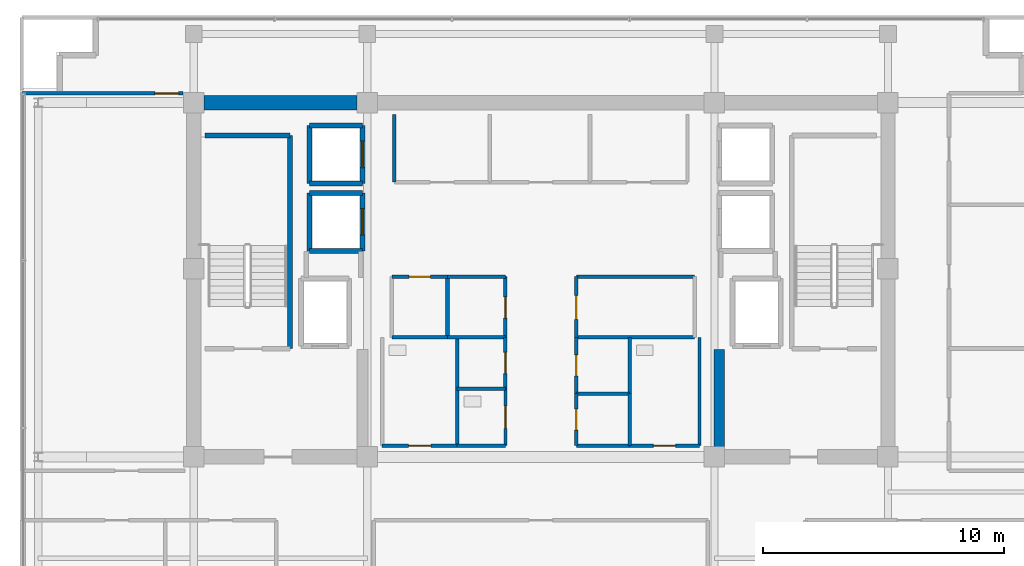
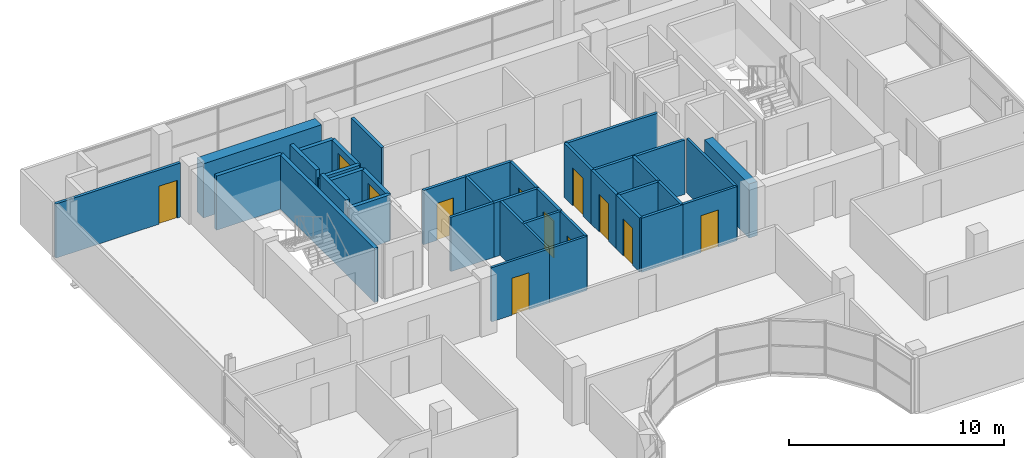
# One storey, part 24 of 29: 37 walls, 12 doors, 12 openings.
"""IFC4 building model written with IfcOpenShell, lengths in metres."""

from ifc_helpers import new_model, si_unit, direction, frame, frame_2d, origin, place, context, subcontext, project, spatial, rectangle, extrude, source, transform, mapped, material, layer, layer_set, type_object, element, fill, save


model = new_model("IFC4")

# Units and contexts
model_context = context("Model", 3, precision=1e-05, world=origin(), true_north=direction((0.0, 1.0)))
body_context = subcontext(model_context, "Body", "Model", "MODEL_VIEW")
ifc_project = project(units=[si_unit("LENGTHUNIT", "METRE"), si_unit("AREAUNIT", "SQUARE_METRE"), si_unit("VOLUMEUNIT", "CUBIC_METRE"), si_unit("PLANEANGLEUNIT", "RADIAN"), si_unit("MASSUNIT", "GRAM", prefix="KILO")], contexts=[model_context])

# Site, building, storey
site_placement = place(None, origin())
site = spatial("IfcSite", under=ifc_project, at=site_placement, CompositionType="ELEMENT")
building_placement = place(site_placement, origin())
building = spatial("IfcBuilding", under=site, at=building_placement, Name="Zarnakvel Exchange Tower", CompositionType="ELEMENT")
storey_placement = place(building_placement, frame((0.0, 0.0, 258.39990234375)))
storey = spatial("IfcBuildingStorey", under=building, at=storey_placement, Name="L73", CompositionType="ELEMENT", Elevation=258.39990234375)

# Walls
ifc_material_1 = material(Name="Concrete C50/60", Category="concrete")
ifc_layer_1 = layer(ifc_material_1, 0.60009765625)
ifc_layer_set_1 = layer_set([ifc_layer_1], Name="Concrete C50/60")
wall_type_1 = type_object("IfcWallType", Name="CW-C5", PredefinedType="SHEAR", material=ifc_layer_set_1)
wall_1_placement = place(storey_placement, frame((-13.97509765625, 13.5, 0.0), z_axis=(0.0, 0.0, 1.0), x_axis=(1.0, 0.0, 0.0)))
element("IfcWall", 1, at=wall_1_placement, inside=storey, type_object=wall_type_1, Name="L73 Rear Core Shear Wall N1 (CW-C5)", PredefinedType="SHEAR", context=body_context, shape_type="SweptSolid", body=[
    extrude(rectangle(XDim=6.35009765625, YDim=0.60009765625, at=frame_2d((3.175048828125, 0.0))), origin(), (0.0, 0.0, 1.0), 3.0751953125),
])
ifc_layer_2 = layer(ifc_material_1, 0.449951171875)
ifc_layer_set_2 = layer_set([ifc_layer_2], Name="Concrete C50/60")
wall_type_2 = type_object("IfcWallType", Name="CW-C6", PredefinedType="SHEAR", material=ifc_layer_set_2)
wall_2_placement = place(storey_placement, frame((7.39990234375, -0.89990234375, 0.0), z_axis=(0.0, 0.0, 1.0), x_axis=(0.0, 1.0, 0.0)))
element("IfcWall", 2, at=wall_2_placement, inside=storey, type_object=wall_type_2, Name="L73 Rear Core Shear Wall IE (CW-C6)", PredefinedType="SHEAR", context=body_context, shape_type="SweptSolid", body=[
    extrude(rectangle(XDim=4.14990234375, YDim=0.449951171875, at=frame_2d((2.074951171875, 0.0))), origin(), (0.0, 0.0, 1.0), 3.0751953125),
])
ifc_material_2 = material(Name="Fire-Rated Gypsum Stud Partition", Category="gypsum")
ifc_layer_3 = layer(ifc_material_2, 0.14990234375)
ifc_layer_set_3 = layer_set([ifc_layer_3], Name="Fire-Rated Gypsum Stud Partition")
wall_type_3 = type_object("IfcWallType", Name="PT-01", PredefinedType="PARTITIONING", material=ifc_layer_set_3)
wall_3_placement = place(storey_placement, frame((-6.080078125, 10.199951171875, 0.0), z_axis=(0.0, 0.0, 1.0), x_axis=(0.0, 1.0, 0.0)))
element("IfcWall", 3, at=wall_3_placement, inside=storey, type_object=wall_type_3, Name="L73 Partition Wall PWALL-L73-012 (PT-01)", PredefinedType="PARTITIONING", context=body_context, shape_type="SweptSolid", body=[
    extrude(rectangle(XDim=2.800048828125, YDim=0.14990234375, at=frame_2d((1.39990234375, 0.0))), origin(), (0.0, 0.0, 1.0), 3.0751953125),
])
wall_4_placement = place(storey_placement, frame((-3.8701171875, 3.760009765625, 0.0), z_axis=(0.0, 0.0, 1.0), x_axis=(-1.0, 0.0, 0.0)))
element("IfcWall", 4, at=wall_4_placement, inside=storey, type_object=wall_type_3, Name="L73 Partition Wall PWALL-L73-018 (PT-01)", PredefinedType="PARTITIONING", context=body_context, shape_type="SweptSolid", body=[
    extrude(rectangle(XDim=2.309814453125, YDim=0.14990234375, at=frame_2d((1.15478515625, 0.0))), origin(), (0.0, 0.0, 1.0), 3.0751953125),
])

# Wall, opening, door
wall_5_placement = place(storey_placement, frame((-6.179931640625, 6.280029296875, 0.0), z_axis=(0.0, 0.0, 1.0), x_axis=(1.0, 0.0, 0.0)))
wall_5 = element("IfcWall", 5, at=wall_5_placement, inside=storey, type_object=wall_type_3, Name="L73 Partition Wall PWALL-L73-019 (PT-01)", PredefinedType="PARTITIONING", context=body_context, shape_type="SweptSolid", body=[
    extrude(rectangle(XDim=2.309814453125, YDim=0.14990234375, at=frame_2d((1.15478515625, 0.0))), origin(), (0.0, 0.0, 1.0), 3.0751953125),
])
opening_1_placement = place(wall_5_placement, frame((0.719970703125, 0.0, 0.0)))
opening_1 = element("IfcOpeningElement", 6, at=opening_1_placement, cuts=wall_5, Name="Opening D-L73-08", PredefinedType="OPENING", context=body_context, shape_type="SweptSolid", body=[
    extrude(rectangle(XDim=0.8798828125, YDim=2.10009765625, at=frame_2d((0.43994140625, 1.050048828125))), frame((0.0, 0.0849609375, 0.0), z_axis=(0.0, -1.0, 0.0), x_axis=(1.0, 0.0, 0.0)), (0.0, 0.0, 1.0), 0.169921875),
])
ifc_material_3 = material(Name="Painted Galvanised Steel S355", Category="steel")
door_type_1 = type_object("IfcDoorType", Name="DT-08", OperationType="NOTDEFINED", PredefinedType="DOOR", material=ifc_material_3)
shared_shape_1 = source(origin(), body_context, "Body", "SweptSolid", [
    extrude(rectangle(XDim=0.8798828125, YDim=2.10009765625, at=frame_2d((0.43994140625, 1.050048828125))), frame((0.0, 0.02490234375, 0.0), z_axis=(0.0, -1.0, 0.0), x_axis=(1.0, 0.0, 0.0)), (0.0, 0.0, 1.0), 0.050048828125),
])
door_1_placement = place(opening_1_placement, origin())
door_1 = element("IfcDoor", 7, at=door_1_placement, inside=storey, type_object=door_type_1, Name="L73 Audit Filing Store Door D-L73-08", OperationType="SINGLE_SWING_RIGHT", OverallHeight=2.10009765625, OverallWidth=0.8798828125, PredefinedType="DOOR", context=body_context, shape_type="MappedRepresentation", body=[
    mapped(shared_shape_1, transform((0.0, 0.0, 0.0), x_axis=(1.0, 0.0, 0.0), y_axis=(0.0, 1.0, 0.0), z_axis=(0.0, 0.0, 1.0), scale=1.0)),
])
fill(opening_1, door_1)

# Walls
wall_6_placement = place(storey_placement, frame((-3.8701171875, 6.280029296875, 0.0), z_axis=(0.0, 0.0, 1.0), x_axis=(0.0, -1.0, 0.0)))
element("IfcWall", 8, at=wall_6_placement, inside=storey, type_object=wall_type_3, Name="L73 Partition Wall PWALL-L73-021 (PT-01)", PredefinedType="PARTITIONING", context=body_context, shape_type="SweptSolid", body=[
    extrude(rectangle(XDim=2.52001953125, YDim=0.14990234375, at=frame_2d((1.260009765625, 0.0))), origin(), (0.0, 0.0, 1.0), 3.0751953125),
])
for number, where, z_axis, x_axis, name in (
    (9, (-1.469970703125, 3.760009765625, 0.0), (0.0, 0.0, 1.0), (-1.0, 0.0, 0.0), "L73 Partition Wall PWALL-L73-022 (PT-01)"),
    (10, (-3.8701171875, 6.280029296875, 0.0), (0.0, 0.0, 1.0), (1.0, 0.0, 0.0), "L73 Partition Wall PWALL-L73-023 (PT-01)"),
):
    element("IfcWall", number, at=place(storey_placement, frame(where, z_axis=z_axis, x_axis=x_axis)), inside=storey, type_object=wall_type_3, Name=name, PredefinedType="PARTITIONING", context=body_context, shape_type="SweptSolid", body=[
        extrude(rectangle(XDim=2.400146484375, YDim=0.14990234375, at=frame_2d((1.2001953125, 0.0))), origin(), (0.0, 0.0, 1.0), 3.0751953125),
    ])

# Wall, opening, door
wall_7_placement = place(storey_placement, frame((-1.469970703125, 6.280029296875, 0.0), z_axis=(0.0, 0.0, 1.0), x_axis=(0.0, -1.0, 0.0)))
wall_7 = element("IfcWall", 11, at=wall_7_placement, inside=storey, type_object=wall_type_3, Name="L73 Partition Wall PWALL-L73-024 (PT-01)", PredefinedType="PARTITIONING", context=body_context, shape_type="SweptSolid", body=[
    extrude(rectangle(XDim=2.52001953125, YDim=0.14990234375, at=frame_2d((1.260009765625, 0.0))), origin(), (0.0, 0.0, 1.0), 3.0751953125),
])
opening_2_placement = place(wall_7_placement, frame((0.840087890625, 0.0, 0.0)))
opening_2 = element("IfcOpeningElement", 12, at=opening_2_placement, cuts=wall_7, Name="Opening D-L73-09", PredefinedType="OPENING", context=body_context, shape_type="SweptSolid", body=[
    extrude(rectangle(XDim=0.8798828125, YDim=2.10009765625, at=frame_2d((0.43994140625, 1.050048828125))), frame((0.0, 0.0849609375, 0.0), z_axis=(0.0, -1.0, 0.0), x_axis=(1.0, 0.0, 0.0)), (0.0, 0.0, 1.0), 0.169921875),
])
door_2_placement = place(opening_2_placement, origin())
door_2 = element("IfcDoor", 13, at=door_2_placement, inside=storey, type_object=door_type_1, Name="L73 Core Records Store Door D-L73-09", OperationType="SINGLE_SWING_LEFT", OverallHeight=2.10009765625, OverallWidth=0.8798828125, PredefinedType="DOOR", context=body_context, shape_type="MappedRepresentation", body=[
    mapped(shared_shape_1, transform((0.0, 0.0, 0.0), x_axis=(1.0, 0.0, 0.0), y_axis=(0.0, 1.0, 0.0), z_axis=(0.0, 0.0, 1.0), scale=1.0)),
])
fill(opening_2, door_2)

# Walls
for number, where, z_axis, x_axis, name in (
    (14, (6.3798828125, 3.760009765625, 0.0), (0.0, 0.0, 1.0), (-1.0, 0.0, 0.0), "L73 Partition Wall PWALL-L73-025 (PT-01)"),
    (15, (1.469970703125, 6.280029296875, 0.0), (0.0, 0.0, 1.0), (1.0, 0.0, 0.0), "L73 Partition Wall PWALL-L73-026 (PT-01)"),
):
    element("IfcWall", number, at=place(storey_placement, frame(where, z_axis=z_axis, x_axis=x_axis)), inside=storey, type_object=wall_type_3, Name=name, PredefinedType="PARTITIONING", context=body_context, shape_type="SweptSolid", body=[
        extrude(rectangle(XDim=4.909912109375, YDim=0.14990234375, at=frame_2d((2.455078125, 0.0))), origin(), (0.0, 0.0, 1.0), 3.0751953125),
    ])

# Wall, opening, door
wall_8_placement = place(storey_placement, frame((1.469970703125, 3.760009765625, 0.0), z_axis=(0.0, 0.0, 1.0), x_axis=(0.0, 1.0, 0.0)))
wall_8 = element("IfcWall", 16, at=wall_8_placement, inside=storey, type_object=wall_type_3, Name="L73 Partition Wall PWALL-L73-027 (PT-01)", PredefinedType="PARTITIONING", context=body_context, shape_type="SweptSolid", body=[
    extrude(rectangle(XDim=2.52001953125, YDim=0.14990234375, at=frame_2d((1.260009765625, 0.0))), origin(), (0.0, 0.0, 1.0), 3.0751953125),
])
opening_3_placement = place(wall_8_placement, frame((0.75, 0.0, 0.0)))
opening_3 = element("IfcOpeningElement", 17, at=opening_3_placement, cuts=wall_8, Name="Opening D-L73-10", PredefinedType="OPENING", context=body_context, shape_type="SweptSolid", body=[
    extrude(rectangle(XDim=0.97998046875, YDim=2.14990234375, at=frame_2d((0.489990234375, 1.074951171875))), frame((0.0, 0.0849609375, 0.0), z_axis=(0.0, -1.0, 0.0), x_axis=(1.0, 0.0, 0.0)), (0.0, 0.0, 1.0), 0.169921875),
])
ifc_material_4 = material(Name="Timber Acoustic Veneer", Category="wood")
door_type_2 = type_object("IfcDoorType", Name="DT-05", OperationType="NOTDEFINED", PredefinedType="DOOR", material=ifc_material_4)
shared_shape_2 = source(origin(), body_context, "Body", "SweptSolid", [
    extrude(rectangle(XDim=0.97998046875, YDim=2.14990234375, at=frame_2d((0.489990234375, 1.074951171875))), frame((0.0, 0.02490234375, 0.0), z_axis=(0.0, -1.0, 0.0), x_axis=(1.0, 0.0, 0.0)), (0.0, 0.0, 1.0), 0.050048828125),
])
door_3_placement = place(opening_3_placement, origin())
door_3 = element("IfcDoor", 18, at=door_3_placement, inside=storey, type_object=door_type_2, Name="L73 Telemetry Server Suite Door D-L73-10", OperationType="SINGLE_SWING_RIGHT", OverallHeight=2.14990234375, OverallWidth=0.97998046875, PredefinedType="DOOR", context=body_context, shape_type="MappedRepresentation", body=[
    mapped(shared_shape_2, transform((0.0, 0.0, 0.0), x_axis=(1.0, 0.0, 0.0), y_axis=(0.0, 1.0, 0.0), z_axis=(0.0, 0.0, 1.0), scale=1.0)),
])
fill(opening_3, door_3)

wall_9_placement = place(storey_placement, frame((-1.469970703125, 3.760009765625, 0.0), z_axis=(0.0, 0.0, 1.0), x_axis=(0.0, -1.0, 0.0)))
wall_9 = element("IfcWall", 19, at=wall_9_placement, inside=storey, type_object=wall_type_3, Name="L73 Partition Wall PWALL-L73-035 (PT-01)", PredefinedType="PARTITIONING", context=body_context, shape_type="SweptSolid", body=[
    extrude(rectangle(XDim=2.130126953125, YDim=0.14990234375, at=frame_2d((1.06494140625, 0.0))), origin(), (0.0, 0.0, 1.0), 3.0751953125),
])
opening_4_placement = place(wall_9_placement, frame((0.6201171875, 0.0, 0.0)))
opening_4 = element("IfcOpeningElement", 20, at=opening_4_placement, cuts=wall_9, Name="Opening D-L73-13", PredefinedType="OPENING", context=body_context, shape_type="SweptSolid", body=[
    extrude(rectangle(XDim=0.8798828125, YDim=2.10009765625, at=frame_2d((0.43994140625, 1.050048828125))), frame((0.0, 0.0849609375, 0.0), z_axis=(0.0, -1.0, 0.0), x_axis=(1.0, 0.0, 0.0)), (0.0, 0.0, 1.0), 0.169921875),
])
door_4_placement = place(opening_4_placement, origin())
door_4 = element("IfcDoor", 21, at=door_4_placement, inside=storey, type_object=door_type_1, Name="L73 Core Comms Room Door D-L73-13", OperationType="SINGLE_SWING_LEFT", OverallHeight=2.10009765625, OverallWidth=0.8798828125, PredefinedType="DOOR", context=body_context, shape_type="MappedRepresentation", body=[
    mapped(shared_shape_1, transform((0.0, 0.0, 0.0), x_axis=(1.0, 0.0, 0.0), y_axis=(0.0, 1.0, 0.0), z_axis=(0.0, 0.0, 1.0), scale=1.0)),
])
fill(opening_4, door_4)

# Walls
for number, where, z_axis, x_axis, name in (
    (22, (3.679931640625, -0.72998046875, 0.0), (0.0, 0.0, 1.0), (-1.0, 0.0, 0.0), "L73 Partition Wall PWALL-L73-036 (PT-01)"),
    (23, (1.469970703125, 1.429931640625, 0.0), (0.0, 0.0, 1.0), (1.0, 0.0, 0.0), "L73 Partition Wall PWALL-L73-037 (PT-01)"),
):
    element("IfcWall", number, at=place(storey_placement, frame(where, z_axis=z_axis, x_axis=x_axis)), inside=storey, type_object=wall_type_3, Name=name, PredefinedType="PARTITIONING", context=body_context, shape_type="SweptSolid", body=[
        extrude(rectangle(XDim=2.2099609375, YDim=0.14990234375, at=frame_2d((1.10498046875, 0.0))), origin(), (0.0, 0.0, 1.0), 3.0751953125),
    ])

# Wall, opening, door
wall_10_placement = place(storey_placement, frame((1.469970703125, -0.72998046875, 0.0), z_axis=(0.0, 0.0, 1.0), x_axis=(0.0, 1.0, 0.0)))
wall_10 = element("IfcWall", 24, at=wall_10_placement, inside=storey, type_object=wall_type_3, Name="L73 Partition Wall PWALL-L73-038 (PT-01)", PredefinedType="PARTITIONING", context=body_context, shape_type="SweptSolid", body=[
    extrude(rectangle(XDim=2.159912109375, YDim=0.14990234375, at=frame_2d((1.080078125, 0.0))), origin(), (0.0, 0.0, 1.0), 3.0751953125),
])
opening_5_placement = place(wall_10_placement, frame((0.639892578125, 0.0, 0.0)))
opening_5 = element("IfcOpeningElement", 25, at=opening_5_placement, cuts=wall_10, Name="Opening D-L73-14", PredefinedType="OPENING", context=body_context, shape_type="SweptSolid", body=[
    extrude(rectangle(XDim=0.8798828125, YDim=2.10009765625, at=frame_2d((0.43994140625, 1.050048828125))), frame((0.0, 0.0849609375, 0.0), z_axis=(0.0, -1.0, 0.0), x_axis=(1.0, 0.0, 0.0)), (0.0, 0.0, 1.0), 0.169921875),
])
door_5_placement = place(opening_5_placement, origin())
door_5 = element("IfcDoor", 26, at=door_5_placement, inside=storey, type_object=door_type_1, Name="L73 Janitor Store Door D-L73-14", OperationType="SINGLE_SWING_RIGHT", OverallHeight=2.10009765625, OverallWidth=0.8798828125, PredefinedType="DOOR", context=body_context, shape_type="MappedRepresentation", body=[
    mapped(shared_shape_1, transform((0.0, 0.0, 0.0), x_axis=(1.0, 0.0, 0.0), y_axis=(0.0, 1.0, 0.0), z_axis=(0.0, 0.0, 1.0), scale=1.0)),
])
fill(opening_5, door_5)

# Wall
wall_11_placement = place(storey_placement, frame((3.679931640625, 1.429931640625, 0.0), z_axis=(0.0, 0.0, 1.0), x_axis=(0.0, -1.0, 0.0)))
element("IfcWall", 27, at=wall_11_placement, inside=storey, type_object=wall_type_3, Name="L73 Partition Wall PWALL-L73-039 (PT-01)", PredefinedType="PARTITIONING", context=body_context, shape_type="SweptSolid", body=[
    extrude(rectangle(XDim=2.159912109375, YDim=0.14990234375, at=frame_2d((1.080078125, 0.0))), origin(), (0.0, 0.0, 1.0), 3.0751953125),
])

# Wall, opening, door
wall_12_placement = place(storey_placement, frame((1.469970703125, 1.429931640625, 0.0), z_axis=(0.0, 0.0, 1.0), x_axis=(0.0, 1.0, 0.0)))
wall_12 = element("IfcWall", 28, at=wall_12_placement, inside=storey, type_object=wall_type_3, Name="L73 Partition Wall PWALL-L73-040 (PT-01)", PredefinedType="PARTITIONING", context=body_context, shape_type="SweptSolid", body=[
    extrude(rectangle(XDim=2.330078125, YDim=0.14990234375, at=frame_2d((1.1650390625, 0.0))), origin(), (0.0, 0.0, 1.0), 3.0751953125),
])
opening_6_placement = place(wall_12_placement, frame((0.72998046875, 0.0, 0.0)))
opening_6 = element("IfcOpeningElement", 29, at=opening_6_placement, cuts=wall_12, Name="Opening D-L73-15", PredefinedType="OPENING", context=body_context, shape_type="SweptSolid", body=[
    extrude(rectangle(XDim=0.8798828125, YDim=2.14990234375, at=frame_2d((0.43994140625, 1.074951171875))), frame((0.0, 0.0849609375, 0.0), z_axis=(0.0, -1.0, 0.0), x_axis=(1.0, 0.0, 0.0)), (0.0, 0.0, 1.0), 0.169921875),
])
shared_shape_3 = source(origin(), body_context, "Body", "SweptSolid", [
    extrude(rectangle(XDim=0.8798828125, YDim=2.14990234375, at=frame_2d((0.43994140625, 1.074951171875))), frame((0.0, 0.02490234375, 0.0), z_axis=(0.0, -1.0, 0.0), x_axis=(1.0, 0.0, 0.0)), (0.0, 0.0, 1.0), 0.050048828125),
])
door_6_placement = place(opening_6_placement, origin())
door_6 = element("IfcDoor", 30, at=door_6_placement, inside=storey, type_object=door_type_2, Name="L73 Stationery Store Door D-L73-15", OperationType="SINGLE_SWING_LEFT", OverallHeight=2.14990234375, OverallWidth=0.8798828125, PredefinedType="DOOR", context=body_context, shape_type="MappedRepresentation", body=[
    mapped(shared_shape_3, transform((0.0, 0.0, 0.0), x_axis=(1.0, 0.0, 0.0), y_axis=(0.0, 1.0, 0.0), z_axis=(0.0, 0.0, 1.0), scale=1.0)),
])
fill(opening_6, door_6)

# Wall
wall_13_placement = place(storey_placement, frame((3.679931640625, 3.760009765625, 0.0), z_axis=(0.0, 0.0, 1.0), x_axis=(0.0, -1.0, 0.0)))
element("IfcWall", 31, at=wall_13_placement, inside=storey, type_object=wall_type_3, Name="L73 Partition Wall PWALL-L73-041 (PT-01)", PredefinedType="PARTITIONING", context=body_context, shape_type="SweptSolid", body=[
    extrude(rectangle(XDim=2.330078125, YDim=0.14990234375, at=frame_2d((1.1650390625, 0.0))), origin(), (0.0, 0.0, 1.0), 3.0751953125),
])

# Wall, opening, door
wall_14_placement = place(storey_placement, frame((-21.530029296875, 13.8798828125, 0.0), z_axis=(0.0, 0.0, 1.0), x_axis=(1.0, 0.0, 0.0)))
wall_14 = element("IfcWall", 32, at=wall_14_placement, inside=storey, type_object=wall_type_3, Name="L73 Partition Wall PWALL-L73-066 (PT-01)", PredefinedType="PARTITIONING", context=body_context, shape_type="SweptSolid", body=[
    extrude(rectangle(XDim=6.68505859375, YDim=0.14990234375, at=frame_2d((3.342529296875, 0.0))), origin(), (0.0, 0.0, 1.0), 3.0751953125),
])
opening_7_placement = place(wall_14_placement, frame((5.52490234375, 0.0, 0.0)))
opening_7 = element("IfcOpeningElement", 33, at=opening_7_placement, cuts=wall_14, Name="Opening D-L73-27", PredefinedType="OPENING", context=body_context, shape_type="SweptSolid", body=[
    extrude(rectangle(XDim=0.97998046875, YDim=2.14990234375, at=frame_2d((0.489990234375, 1.074951171875))), frame((0.0, 0.0849609375, 0.0), z_axis=(0.0, -1.0, 0.0), x_axis=(1.0, 0.0, 0.0)), (0.0, 0.0, 1.0), 0.169921875),
])
door_7_placement = place(opening_7_placement, origin())
door_7 = element("IfcDoor", 34, at=door_7_placement, inside=storey, type_object=door_type_2, Name="L73 Settlement Office Door D-L73-27", OperationType="SINGLE_SWING_LEFT", OverallHeight=2.14990234375, OverallWidth=0.97998046875, PredefinedType="DOOR", context=body_context, shape_type="MappedRepresentation", body=[
    mapped(shared_shape_2, transform((0.0, 0.0, 0.0), x_axis=(1.0, 0.0, 0.0), y_axis=(0.0, 1.0, 0.0), z_axis=(0.0, 0.0, 1.0), scale=1.0)),
])
fill(opening_7, door_7)

ifc_material_5 = material(Name="Moisture-Resistant Tile-Faced Partition", Category="gypsum")
ifc_layer_4 = layer(ifc_material_5, 0.135009765625)
ifc_layer_set_4 = layer_set([ifc_layer_4], Name="Moisture-Resistant Tile-Faced Partition")
wall_type_4 = type_object("IfcWallType", Name="PT-03", PredefinedType="PARTITIONING", material=ifc_layer_set_4)
wall_15_placement = place(storey_placement, frame((-3.469970703125, -0.72998046875, 0.0), z_axis=(0.0, 0.0, 1.0), x_axis=(-1.0, 0.0, 0.0)))
wall_15 = element("IfcWall", 35, at=wall_15_placement, inside=storey, type_object=wall_type_4, Name="L73 Partition Wall PWALL-L73-029 (PT-03)", PredefinedType="PARTITIONING", context=body_context, shape_type="SweptSolid", body=[
    extrude(rectangle(XDim=3.110107421875, YDim=0.135009765625, at=frame_2d((1.55517578125, 0.0))), origin(), (0.0, 0.0, 1.0), 3.0751953125),
])
opening_8_placement = place(wall_15_placement, frame((1.090087890625, 0.0, 0.0)))
opening_8 = element("IfcOpeningElement", 36, at=opening_8_placement, cuts=wall_15, Name="Opening D-L73-11", PredefinedType="OPENING", context=body_context, shape_type="SweptSolid", body=[
    extrude(rectangle(XDim=0.919921875, YDim=2.10009765625, at=frame_2d((0.4599609375, 1.050048828125))), frame((0.0, 0.077392578125, 0.0), z_axis=(0.0, -1.0, 0.0), x_axis=(1.0, 0.0, 0.0)), (0.0, 0.0, 1.0), 0.155029296875),
])
ifc_material_6 = material(Name="Moisture-Resistant Laminate Timber", Category="wood")
door_type_3 = type_object("IfcDoorType", Name="DT-07", OperationType="NOTDEFINED", PredefinedType="DOOR", material=ifc_material_6)
shared_shape_4 = source(origin(), body_context, "Body", "SweptSolid", [
    extrude(rectangle(XDim=0.919921875, YDim=2.10009765625, at=frame_2d((0.4599609375, 1.050048828125))), frame((0.0, 0.02490234375, 0.0), z_axis=(0.0, -1.0, 0.0), x_axis=(1.0, 0.0, 0.0)), (0.0, 0.0, 1.0), 0.050048828125),
])
door_8_placement = place(opening_8_placement, origin())
door_8 = element("IfcDoor", 37, at=door_8_placement, inside=storey, type_object=door_type_3, Name="L73 Male Toilet Door D-L73-11", OperationType="SINGLE_SWING_LEFT", OverallHeight=2.10009765625, OverallWidth=0.919921875, PredefinedType="DOOR", context=body_context, shape_type="MappedRepresentation", body=[
    mapped(shared_shape_4, transform((0.0, 0.0, 0.0), x_axis=(1.0, 0.0, 0.0), y_axis=(0.0, 1.0, 0.0), z_axis=(0.0, 0.0, 1.0), scale=1.0)),
])
fill(opening_8, door_8)

# Walls
wall_16_placement = place(storey_placement, frame((-3.469970703125, 3.760009765625, 0.0), z_axis=(0.0, 0.0, 1.0), x_axis=(0.0, -1.0, 0.0)))
element("IfcWall", 38, at=wall_16_placement, inside=storey, type_object=wall_type_4, Name="L73 Partition Wall PWALL-L73-031 (PT-03)", PredefinedType="PARTITIONING", context=body_context, shape_type="SweptSolid", body=[
    extrude(rectangle(XDim=4.489990234375, YDim=0.135009765625, at=frame_2d((2.2451171875, 0.0))), origin(), (0.0, 0.0, 1.0), 3.0751953125),
])
for number, where, z_axis, x_axis, name in (
    (39, (-1.469970703125, -0.72998046875, 0.0), (0.0, 0.0, 1.0), (-1.0, 0.0, 0.0), "L73 Partition Wall PWALL-L73-032 (PT-03)"),
    (40, (-3.469970703125, 1.6298828125, 0.0), (0.0, 0.0, 1.0), (1.0, 0.0, 0.0), "L73 Partition Wall PWALL-L73-033 (PT-03)"),
):
    element("IfcWall", number, at=place(storey_placement, frame(where, z_axis=z_axis, x_axis=x_axis)), inside=storey, type_object=wall_type_4, Name=name, PredefinedType="PARTITIONING", context=body_context, shape_type="SweptSolid", body=[
        extrude(rectangle(XDim=2.0, YDim=0.135009765625, at=frame_2d((1.0, 0.0))), origin(), (0.0, 0.0, 1.0), 3.0751953125),
    ])

# Wall, opening, door
wall_17_placement = place(storey_placement, frame((-1.469970703125, 1.6298828125, 0.0), z_axis=(0.0, 0.0, 1.0), x_axis=(0.0, -1.0, 0.0)))
wall_17 = element("IfcWall", 41, at=wall_17_placement, inside=storey, type_object=wall_type_4, Name="L73 Partition Wall PWALL-L73-034 (PT-03)", PredefinedType="PARTITIONING", context=body_context, shape_type="SweptSolid", body=[
    extrude(rectangle(XDim=2.35986328125, YDim=0.135009765625, at=frame_2d((1.179931640625, 0.0))), origin(), (0.0, 0.0, 1.0), 3.0751953125),
])
opening_9_placement = place(wall_17_placement, frame((0.719970703125, 0.0, 0.0)))
opening_9 = element("IfcOpeningElement", 42, at=opening_9_placement, cuts=wall_17, Name="Opening D-L73-12", PredefinedType="OPENING", context=body_context, shape_type="SweptSolid", body=[
    extrude(rectangle(XDim=0.919921875, YDim=2.10009765625, at=frame_2d((0.4599609375, 1.050048828125))), frame((0.0, 0.077392578125, 0.0), z_axis=(0.0, -1.0, 0.0), x_axis=(1.0, 0.0, 0.0)), (0.0, 0.0, 1.0), 0.155029296875),
])
door_9_placement = place(opening_9_placement, origin())
door_9 = element("IfcDoor", 43, at=door_9_placement, inside=storey, type_object=door_type_3, Name="L73 Accessible Toilet Door D-L73-12", OperationType="SINGLE_SWING_RIGHT", OverallHeight=2.10009765625, OverallWidth=0.919921875, PredefinedType="DOOR", context=body_context, shape_type="MappedRepresentation", body=[
    mapped(shared_shape_4, transform((0.0, 0.0, 0.0), x_axis=(1.0, 0.0, 0.0), y_axis=(0.0, 1.0, 0.0), z_axis=(0.0, 0.0, 1.0), scale=1.0)),
])
fill(opening_9, door_9)

wall_18_placement = place(storey_placement, frame((6.580078125, -0.72998046875, 0.0), z_axis=(0.0, 0.0, 1.0), x_axis=(-1.0, 0.0, 0.0)))
wall_18 = element("IfcWall", 44, at=wall_18_placement, inside=storey, type_object=wall_type_4, Name="L73 Partition Wall PWALL-L73-042 (PT-03)", PredefinedType="PARTITIONING", context=body_context, shape_type="SweptSolid", body=[
    extrude(rectangle(XDim=2.900146484375, YDim=0.135009765625, at=frame_2d((1.4501953125, 0.0))), origin(), (0.0, 0.0, 1.0), 3.0751953125),
])
opening_10_placement = place(wall_18_placement, frame((0.989990234375, 0.0, 0.0)))
opening_10 = element("IfcOpeningElement", 45, at=opening_10_placement, cuts=wall_18, Name="Opening D-L73-16", PredefinedType="OPENING", context=body_context, shape_type="SweptSolid", body=[
    extrude(rectangle(XDim=0.919921875, YDim=2.10009765625, at=frame_2d((0.4599609375, 1.050048828125))), frame((0.0, 0.077392578125, 0.0), z_axis=(0.0, -1.0, 0.0), x_axis=(1.0, 0.0, 0.0)), (0.0, 0.0, 1.0), 0.155029296875),
])
door_10_placement = place(opening_10_placement, origin())
door_10 = element("IfcDoor", 46, at=door_10_placement, inside=storey, type_object=door_type_3, Name="L73 Female Toilet Door D-L73-16", OperationType="SINGLE_SWING_RIGHT", OverallHeight=2.10009765625, OverallWidth=0.919921875, PredefinedType="DOOR", context=body_context, shape_type="MappedRepresentation", body=[
    mapped(shared_shape_4, transform((0.0, 0.0, 0.0), x_axis=(1.0, 0.0, 0.0), y_axis=(0.0, 1.0, 0.0), z_axis=(0.0, 0.0, 1.0), scale=1.0)),
])
fill(opening_10, door_10)

# Walls
wall_19_placement = place(storey_placement, frame((6.580078125, 3.760009765625, 0.0), z_axis=(0.0, 0.0, 1.0), x_axis=(0.0, -1.0, 0.0)))
element("IfcWall", 47, at=wall_19_placement, inside=storey, type_object=wall_type_4, Name="L73 Partition Wall PWALL-L73-043 (PT-03)", PredefinedType="PARTITIONING", context=body_context, shape_type="SweptSolid", body=[
    extrude(rectangle(XDim=4.489990234375, YDim=0.135009765625, at=frame_2d((2.2451171875, 0.0))), origin(), (0.0, 0.0, 1.0), 3.0751953125),
])
ifc_material_7 = material(Name="Concrete C40/50", Category="concrete")
ifc_layer_5 = layer(ifc_material_7, 0.199951171875)
ifc_layer_set_5 = layer_set([ifc_layer_5], Name="Concrete C40/50")
wall_type_5 = type_object("IfcWallType", Name="SW-01", PredefinedType="SOLIDWALL", material=ifc_layer_set_5)
for number, where, z_axis, x_axis, name in (
    (48, (-7.39990234375, 7.35009765625, 0.0), (0.0, 0.0, 1.0), (-1.0, 0.0, 0.0), "L73 PL-09 Hoistway Wall South"),
    (49, (-9.60009765625, 9.75, 0.0), (0.0, 0.0, 1.0), (1.0, 0.0, 0.0), "L73 PL-09 Hoistway Wall North"),
):
    element("IfcWall", number, at=place(storey_placement, frame(where, z_axis=z_axis, x_axis=x_axis)), inside=storey, type_object=wall_type_5, Name=name, PredefinedType="SOLIDWALL", context=body_context, shape_type="SweptSolid", body=[
        extrude(rectangle(XDim=2.2001953125, YDim=0.199951171875, at=frame_2d((1.10009765625, 0.0))), origin(), (0.0, 0.0, 1.0), 2.614990234375),
    ])
wall_20_placement = place(storey_placement, frame((-9.60009765625, 7.35009765625, 0.0), z_axis=(0.0, 0.0, 1.0), x_axis=(0.0, 1.0, 0.0)))
element("IfcWall", 50, at=wall_20_placement, inside=storey, type_object=wall_type_5, Name="L73 PL-09 Hoistway Wall West", PredefinedType="SOLIDWALL", context=body_context, shape_type="SweptSolid", body=[
    extrude(rectangle(XDim=2.39990234375, YDim=0.199951171875, at=frame_2d((1.199951171875, 0.0))), origin(), (0.0, 0.0, 1.0), 3.0751953125),
])

# Wall, opening, door
wall_21_placement = place(storey_placement, frame((-7.39990234375, 9.75, 0.0), z_axis=(0.0, 0.0, 1.0), x_axis=(0.0, -1.0, 0.0)))
wall_21 = element("IfcWall", 51, at=wall_21_placement, inside=storey, type_object=wall_type_5, Name="L73 PL-09 Hoistway Wall East", PredefinedType="SOLIDWALL", context=body_context, shape_type="SweptSolid", body=[
    extrude(rectangle(XDim=2.39990234375, YDim=0.199951171875, at=frame_2d((1.199951171875, 0.0))), origin(), (0.0, 0.0, 1.0), 2.614990234375),
])
opening_11_placement = place(wall_21_placement, frame((0.64990234375, 0.0, 0.0)))
opening_11 = element("IfcOpeningElement", 52, at=opening_11_placement, cuts=wall_21, Name="Opening LD-PL-09-L73", PredefinedType="OPENING", context=body_context, shape_type="SweptSolid", body=[
    extrude(rectangle(XDim=1.10009765625, YDim=2.199951171875, at=frame_2d((0.550048828125, 1.10009765625))), frame((0.0, 0.10986328125, 0.0), z_axis=(0.0, -1.0, 0.0), x_axis=(1.0, 0.0, 0.0)), (0.0, 0.0, 1.0), 0.219970703125),
])
ifc_material_8 = material(Name="Architectural Bronze Anodised Aluminium", Category="aluminium")
door_type_4 = type_object("IfcDoorType", Name="LDT-02", OperationType="NOTDEFINED", PredefinedType="DOOR", material=ifc_material_8)
shared_shape_5 = source(origin(), body_context, "Body", "SweptSolid", [
    extrude(rectangle(XDim=1.10009765625, YDim=2.199951171875, at=frame_2d((0.550048828125, 1.10009765625))), frame((0.0, 0.02490234375, 0.0), z_axis=(0.0, -1.0, 0.0), x_axis=(1.0, 0.0, 0.0)), (0.0, 0.0, 1.0), 0.050048828125),
])
door_11_placement = place(opening_11_placement, origin())
door_11 = element("IfcDoor", 53, at=door_11_placement, inside=storey, type_object=door_type_4, Name="L73 PL-09 Lift Landing Door LD-PL-09-L73", OperationType="DOUBLE_DOOR_SLIDING", OverallHeight=2.199951171875, OverallWidth=1.10009765625, PredefinedType="DOOR", context=body_context, shape_type="MappedRepresentation", body=[
    mapped(shared_shape_5, transform((0.0, 0.0, 0.0), x_axis=(1.0, 0.0, 0.0), y_axis=(0.0, 1.0, 0.0), z_axis=(0.0, 0.0, 1.0), scale=1.0)),
])
fill(opening_11, door_11)

# Walls
for number, where, z_axis, x_axis, name in (
    (54, (-7.39990234375, 10.14990234375, 0.0), (0.0, 0.0, 1.0), (-1.0, 0.0, 0.0), "L73 PL-10 Hoistway Wall South"),
    (55, (-9.60009765625, 12.550048828125, 0.0), (0.0, 0.0, 1.0), (1.0, 0.0, 0.0), "L73 PL-10 Hoistway Wall North"),
):
    element("IfcWall", number, at=place(storey_placement, frame(where, z_axis=z_axis, x_axis=x_axis)), inside=storey, type_object=wall_type_5, Name=name, PredefinedType="SOLIDWALL", context=body_context, shape_type="SweptSolid", body=[
        extrude(rectangle(XDim=2.2001953125, YDim=0.199951171875, at=frame_2d((1.10009765625, 0.0))), origin(), (0.0, 0.0, 1.0), 2.614990234375),
    ])
wall_22_placement = place(storey_placement, frame((-9.60009765625, 10.14990234375, 0.0), z_axis=(0.0, 0.0, 1.0), x_axis=(0.0, 1.0, 0.0)))
element("IfcWall", 56, at=wall_22_placement, inside=storey, type_object=wall_type_5, Name="L73 PL-10 Hoistway Wall West", PredefinedType="SOLIDWALL", context=body_context, shape_type="SweptSolid", body=[
    extrude(rectangle(XDim=2.400146484375, YDim=0.199951171875, at=frame_2d((1.2001953125, 0.0))), origin(), (0.0, 0.0, 1.0), 3.0751953125),
])

# Wall, opening, door
wall_23_placement = place(storey_placement, frame((-7.39990234375, 12.550048828125, 0.0), z_axis=(0.0, 0.0, 1.0), x_axis=(0.0, -1.0, 0.0)))
wall_23 = element("IfcWall", 57, at=wall_23_placement, inside=storey, type_object=wall_type_5, Name="L73 PL-10 Hoistway Wall East", PredefinedType="SOLIDWALL", context=body_context, shape_type="SweptSolid", body=[
    extrude(rectangle(XDim=2.400146484375, YDim=0.199951171875, at=frame_2d((1.2001953125, 0.0))), origin(), (0.0, 0.0, 1.0), 2.614990234375),
])
opening_12_placement = place(wall_23_placement, frame((0.64990234375, 0.0, 0.0)))
opening_12 = element("IfcOpeningElement", 58, at=opening_12_placement, cuts=wall_23, Name="Opening LD-PL-10-L73", PredefinedType="OPENING", context=body_context, shape_type="SweptSolid", body=[
    extrude(rectangle(XDim=1.10009765625, YDim=2.199951171875, at=frame_2d((0.550048828125, 1.10009765625))), frame((0.0, 0.10986328125, 0.0), z_axis=(0.0, -1.0, 0.0), x_axis=(1.0, 0.0, 0.0)), (0.0, 0.0, 1.0), 0.219970703125),
])
door_12_placement = place(opening_12_placement, origin())
door_12 = element("IfcDoor", 59, at=door_12_placement, inside=storey, type_object=door_type_4, Name="L73 PL-10 Lift Landing Door LD-PL-10-L73", OperationType="DOUBLE_DOOR_SLIDING", OverallHeight=2.199951171875, OverallWidth=1.10009765625, PredefinedType="DOOR", context=body_context, shape_type="MappedRepresentation", body=[
    mapped(shared_shape_5, transform((0.0, 0.0, 0.0), x_axis=(1.0, 0.0, 0.0), y_axis=(0.0, 1.0, 0.0), z_axis=(0.0, 0.0, 1.0), scale=1.0)),
])
fill(opening_12, door_12)

# Walls
ifc_layer_6 = layer(ifc_material_7, 0.199951171875)
ifc_layer_set_6 = layer_set([ifc_layer_6], Name="Concrete C40/50")
wall_type_6 = type_object("IfcWallType", Name="SW-02", PredefinedType="SOLIDWALL", material=ifc_layer_set_6)
wall_24_placement = place(storey_placement, frame((-13.929931640625, 12.1298828125, 0.0), z_axis=(0.0, 0.0, 1.0), x_axis=(1.0, 0.0, 0.0)))
element("IfcWall", 60, at=wall_24_placement, inside=storey, type_object=wall_type_6, Name="L73 Stairwell Core Wall PWALL-L73-002 (SW-02)", PredefinedType="SOLIDWALL", context=body_context, shape_type="SweptSolid", body=[
    extrude(rectangle(XDim=3.52001953125, YDim=0.199951171875, at=frame_2d((1.760009765625, 0.0))), origin(), (0.0, 0.0, 1.0), 3.0751953125),
])
wall_25_placement = place(storey_placement, frame((-10.409912109375, 12.1298828125, 0.0), z_axis=(0.0, 0.0, 1.0), x_axis=(0.0, -1.0, 0.0)))
element("IfcWall", 61, at=wall_25_placement, inside=storey, type_object=wall_type_6, Name="L73 Stairwell Core Wall PWALL-L73-003 (SW-02)", PredefinedType="SOLIDWALL", context=body_context, shape_type="SweptSolid", body=[
    extrude(rectangle(XDim=8.83984375, YDim=0.199951171875, at=frame_2d((4.419921875, 0.0))), origin(), (0.0, 0.0, 1.0), 3.0751953125),
])

save(model, "model.ifc")
